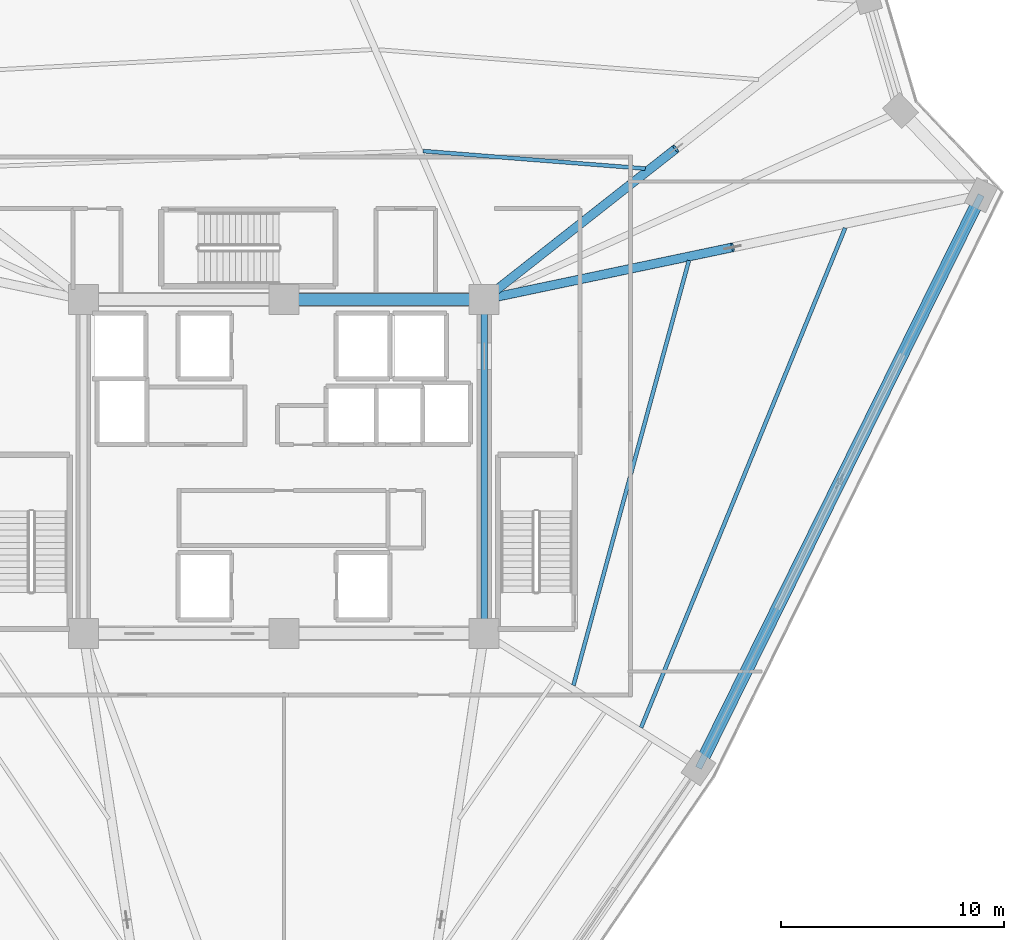
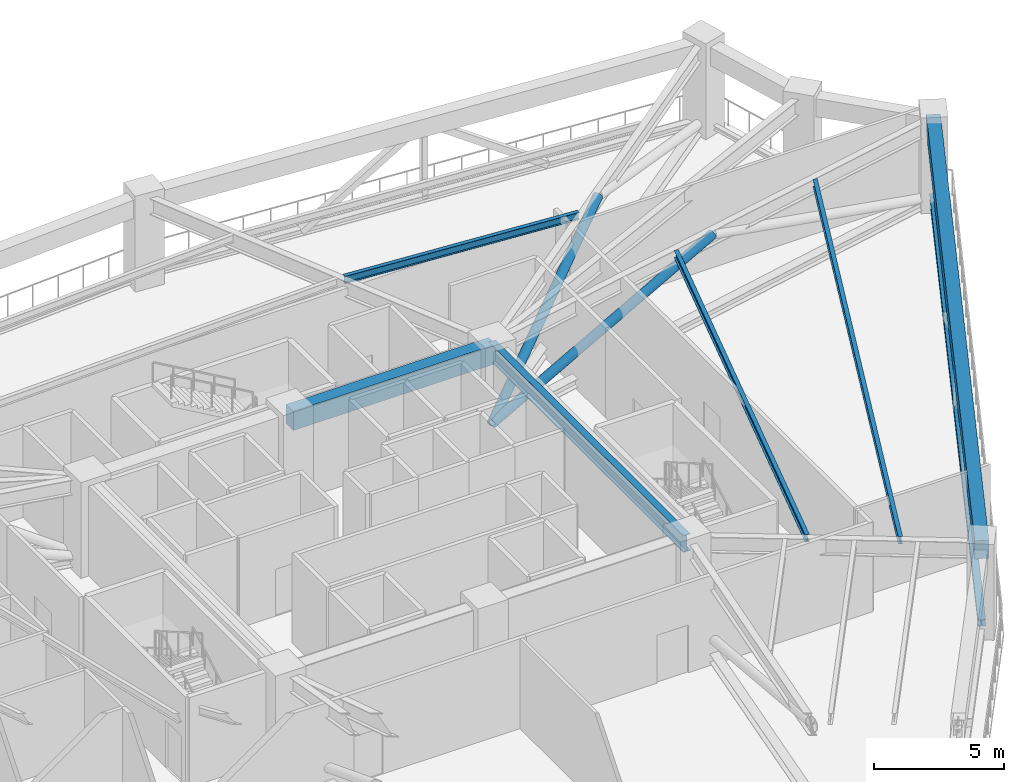
# One storey, part 8 of 22: 6 beams, 3 members.
"""IFC4 building model written with IfcOpenShell, lengths in metres."""

from ifc_helpers import new_model, si_unit, direction, frame, origin, origin_2d, place, context, subcontext, project, spatial, rectangle, hollow_circle, i_section, extrude, source, transform, mapped, material, material_profile, profile_set, type_object, element, save


model = new_model("IFC4")

# Units and contexts
model_context = context("Model", 3, precision=1e-05, world=origin(), true_north=direction((0.0, 1.0)))
body_context = subcontext(model_context, "Body", "Model", "MODEL_VIEW")
ifc_project = project(units=[si_unit("LENGTHUNIT", "METRE"), si_unit("AREAUNIT", "SQUARE_METRE"), si_unit("VOLUMEUNIT", "CUBIC_METRE"), si_unit("PLANEANGLEUNIT", "RADIAN"), si_unit("MASSUNIT", "GRAM", prefix="KILO")], contexts=[model_context])

# Site, building, storey
site_placement = place(None, origin())
site = spatial("IfcSite", under=ifc_project, at=site_placement, CompositionType="ELEMENT")
building_placement = place(site_placement, origin())
building = spatial("IfcBuilding", under=site, at=building_placement, Name="Liaohun Quay Tower", CompositionType="ELEMENT")
storey_placement = place(building_placement, frame((0.0, 0.0, 277.5)))
storey = spatial("IfcBuildingStorey", under=building, at=storey_placement, Name="L72", CompositionType="ELEMENT", Elevation=277.5)

# Beams
ifc_material_1 = material(Name="Steel Q355D", Category="steel")
ifc_material_profile_1 = material_profile(ifc_material_1, i_section(OverallWidth=0.300048828125, OverallDepth=0.800048828125, WebThickness=0.013916015625, FlangeThickness=0.02587890625, at=origin_2d()), Name="HN800x300x14x26")
ifc_profile_set_1 = profile_set([ifc_material_profile_1], Name="Steel Q355D")
beam_type_1 = type_object("IfcBeamType", Name="BM-RAD-M1", PredefinedType="BEAM", material=ifc_profile_set_1)
shared_shape_1 = source(origin(), body_context, "Body", "SweptSolid", [
    extrude(i_section(OverallWidth=0.300048828125, OverallDepth=0.800048828125, WebThickness=0.013916015625, FlangeThickness=0.02587890625, at=origin_2d()), origin(), (0.0, 0.0, 1.0), 15.0),
])
beam_1_placement = place(storey_placement, frame((69.0, 46.5, 3.820068359375), z_axis=(0.0, 1.0, 0.0), x_axis=(-1.0, 0.0, 0.0)))
element("IfcBeam", 1, at=beam_1_placement, inside=storey, type_object=beam_type_1, Name="L72 Core Coupling/Ring Beam CC3-CC4", PredefinedType="BEAM", context=body_context, shape_type="MappedRepresentation", body=[
    mapped(shared_shape_1, transform((0.0, 0.0, 0.0), x_axis=(1.0, 0.0, 0.0), y_axis=(0.0, 1.0, 0.0), z_axis=(0.0, 0.0, 1.0), scale=1.0)),
])
ifc_material_2 = material(Name="Concrete C55", Category="concrete")
ifc_material_profile_2 = material_profile(ifc_material_2, rectangle(XDim=0.550048828125, YDim=0.89990234375, at=origin_2d()), Name="RC550x900")
ifc_profile_set_2 = profile_set([ifc_material_profile_2], Name="Concrete C55")
beam_type_2 = type_object("IfcBeamType", Name="BM-CPL-2", PredefinedType="LINTEL", material=ifc_profile_set_2)
shared_shape_2 = source(origin(), body_context, "Body", "SweptSolid", [
    extrude(rectangle(XDim=0.550048828125, YDim=0.89990234375, at=origin_2d()), origin(), (0.0, 0.0, 1.0), 9.0),
])
beam_2_placement = place(storey_placement, frame((69.0, 61.5, 3.77001953125), z_axis=(-1.0, 0.0, 0.0), x_axis=(0.0, -1.0, 0.0)))
element("IfcBeam", 2, at=beam_2_placement, inside=storey, type_object=beam_type_2, Name="L72 Core Coupling/Ring Beam CC4-CC5", PredefinedType="LINTEL", context=body_context, shape_type="MappedRepresentation", body=[
    mapped(shared_shape_2, transform((0.0, 0.0, 0.0), x_axis=(1.0, 0.0, 0.0), y_axis=(0.0, 1.0, 0.0), z_axis=(0.0, 0.0, 1.0), scale=1.0)),
])
ifc_material_3 = material(Name="Precast concrete C50", Category="concrete")
ifc_material_profile_3 = material_profile(ifc_material_3, rectangle(XDim=0.550048828125, YDim=0.85009765625, at=origin_2d()), Name="RC550x850")
ifc_profile_set_3 = profile_set([ifc_material_profile_3], Name="Precast concrete C50")
beam_type_3 = type_object("IfcBeamType", Name="BM-SPD-Z3", PredefinedType="SPANDREL", material=ifc_profile_set_3)
shared_shape_3 = source(origin(), body_context, "Body", "SweptSolid", [
    extrude(rectangle(XDim=0.550048828125, YDim=0.85009765625, at=origin_2d()), origin(), (0.0, 0.0, 1.0), 28.685302734375),
])
beam_3_placement = place(storey_placement, frame((91.320068359375, 66.18505859375, 3.794921875), z_axis=(-0.442563961834, -0.89673694007, 0.0), x_axis=(0.89673694007, -0.442563961834, 0.0)))
element("IfcBeam", 3, at=beam_3_placement, inside=storey, type_object=beam_type_3, Name="L72 Precast Spandrel Beam PC09-PC10", PredefinedType="SPANDREL", context=body_context, shape_type="MappedRepresentation", body=[
    mapped(shared_shape_3, transform((0.0, 0.0, 0.0), x_axis=(1.0, 0.0, 0.0), y_axis=(0.0, 1.0, 0.0), z_axis=(0.0, 0.0, 1.0), scale=1.0)),
])
ifc_material_profile_4 = material_profile(ifc_material_1, i_section(OverallWidth=0.175048828125, OverallDepth=0.35009765625, WebThickness=0.007080078125, FlangeThickness=0.010986328125, at=origin_2d()), Name="HN350x175x7x11")
ifc_profile_set_4 = profile_set([ifc_material_profile_4], Name="Steel Q355D")
beam_type_4 = type_object("IfcBeamType", Name="BM-SEC-J3", PredefinedType="JOIST", material=ifc_profile_set_4)
shared_shape_4 = source(origin(), body_context, "Body", "SweptSolid", [
    extrude(i_section(OverallWidth=0.175048828125, OverallDepth=0.35009765625, WebThickness=0.007080078125, FlangeThickness=0.010986328125, at=origin_2d()), origin(), (0.0, 0.0, 1.0), 10.0048828125),
])
beam_4_placement = place(storey_placement, frame((66.260009765625, 68.1650390625, 4.044921875), z_axis=(0.996908166846, -0.078575485209, 0.0), x_axis=(0.078575485209, 0.996908166846, 0.0)))
element("IfcBeam", 4, at=beam_4_placement, inside=storey, type_object=beam_type_4, Name="L72 Wing Secondary Floor Joist SJ-08", PredefinedType="JOIST", context=body_context, shape_type="MappedRepresentation", body=[
    mapped(shared_shape_4, transform((0.0, 0.0, 0.0), x_axis=(1.0, 0.0, 0.0), y_axis=(0.0, 1.0, 0.0), z_axis=(0.0, 0.0, 1.0), scale=1.0)),
])
shared_shape_5 = source(origin(), body_context, "Body", "SweptSolid", [
    extrude(i_section(OverallWidth=0.175048828125, OverallDepth=0.35009765625, WebThickness=0.007080078125, FlangeThickness=0.010986328125, at=origin_2d()), origin(), (0.0, 0.0, 1.0), 19.775390625),
])
beam_5_placement = place(storey_placement, frame((78.195068359375, 63.25390625, 4.044921875), z_axis=(-0.262296228094, -0.964987403404, 0.0), x_axis=(0.964987403404, -0.262296228094, 0.0)))
element("IfcBeam", 5, at=beam_5_placement, inside=storey, type_object=beam_type_4, Name="L72 Wing Secondary Floor Joist SJ-10", PredefinedType="JOIST", context=body_context, shape_type="MappedRepresentation", body=[
    mapped(shared_shape_5, transform((0.0, 0.0, 0.0), x_axis=(1.0, 0.0, 0.0), y_axis=(0.0, 1.0, 0.0), z_axis=(0.0, 0.0, 1.0), scale=1.0)),
])
shared_shape_6 = source(origin(), body_context, "Body", "SweptSolid", [
    extrude(i_section(OverallWidth=0.175048828125, OverallDepth=0.35009765625, WebThickness=0.007080078125, FlangeThickness=0.010986328125, at=origin_2d()), origin(), (0.0, 0.0, 1.0), 24.23779296875),
])
beam_6_placement = place(storey_placement, frame((85.2099609375, 64.708984375, 4.044921875), z_axis=(-0.378041309338, -0.925788727753, 0.0), x_axis=(0.925788727753, -0.378041309338, 0.0)))
element("IfcBeam", 6, at=beam_6_placement, inside=storey, type_object=beam_type_4, Name="L72 Wing Secondary Floor Joist SJ-11", PredefinedType="JOIST", context=body_context, shape_type="MappedRepresentation", body=[
    mapped(shared_shape_6, transform((0.0, 0.0, 0.0), x_axis=(1.0, 0.0, 0.0), y_axis=(0.0, 1.0, 0.0), z_axis=(0.0, 0.0, 1.0), scale=1.0)),
])

# Members
ifc_material_4 = material(Name="Steel Q420D", Category="steel")
ifc_material_profile_5 = material_profile(ifc_material_4, hollow_circle(Radius=0.202880859375, WallThickness=0.01611328125, at=origin_2d()), Name="CHS406x16")
ifc_profile_set_5 = profile_set([ifc_material_profile_5], Name="Steel Q420D")
member_type_1 = type_object("IfcMemberType", Name="MEM-OUT-DG2", PredefinedType="BRACE", material=ifc_profile_set_5)
shared_shape_7 = source(origin(), body_context, "Body", "SweptSolid", [
    extrude(hollow_circle(Radius=0.202880859375, WallThickness=0.01611328125, at=origin_2d()), origin(), (0.0, 0.0, 1.0), 11.51611328125),
])
member_1_placement = place(storey_placement, frame((69.0, 61.5, 0.35009765625), z_axis=(0.7472076104, 0.587870028837, 0.309983251412), x_axis=(-0.618327598881, 0.785920467008, 0.0)))
element("IfcMember", 7, at=member_1_placement, inside=storey, type_object=member_type_1, Name="L72 Outrigger Diagonal OD-04A", PredefinedType="BRACE", context=body_context, shape_type="MappedRepresentation", body=[
    mapped(shared_shape_7, transform((0.0, 0.0, 0.0), x_axis=(1.0, 0.0, 0.0), y_axis=(0.0, 1.0, 0.0), z_axis=(0.0, 0.0, 1.0), scale=1.0)),
])
shared_shape_8 = source(origin(), body_context, "Body", "SweptSolid", [
    extrude(hollow_circle(Radius=0.202880859375, WallThickness=0.01611328125, at=origin_2d()), origin(), (0.0, 0.0, 1.0), 11.948974609375),
])
member_2_placement = place(storey_placement, frame((69.0, 61.5, 0.35009765625), z_axis=(0.933967202926, 0.196085914692, 0.29875672029), x_axis=(-0.205469866321, 0.978663442678, 0.0)))
element("IfcMember", 8, at=member_2_placement, inside=storey, type_object=member_type_1, Name="L72 Outrigger Diagonal OD-05A", PredefinedType="BRACE", context=body_context, shape_type="MappedRepresentation", body=[
    mapped(shared_shape_8, transform((0.0, 0.0, 0.0), x_axis=(1.0, 0.0, 0.0), y_axis=(0.0, 1.0, 0.0), z_axis=(0.0, 0.0, 1.0), scale=1.0)),
])
ifc_material_profile_6 = material_profile(ifc_material_1, i_section(OverallWidth=0.300048828125, OverallDepth=0.300048828125, WebThickness=0.010009765625, FlangeThickness=0.014892578125, at=origin_2d()), Name="HW300x300x10x15")
ifc_profile_set_6 = profile_set([ifc_material_profile_6], Name="Steel Q355D")
member_type_2 = type_object("IfcMemberType", Name="MEM-BLT-CHD", PredefinedType="CHORD", material=ifc_profile_set_6)
shared_shape_9 = source(origin(), body_context, "Body", "SweptSolid", [
    extrude(i_section(OverallWidth=0.300048828125, OverallDepth=0.300048828125, WebThickness=0.010009765625, FlangeThickness=0.014892578125, at=origin_2d()), origin(), (0.0, 0.0, 1.0), 28.685302734375),
])
member_3_placement = place(storey_placement, frame((91.320068359375, 66.18505859375, 0.35009765625), z_axis=(-0.442563961834, -0.89673694007, 0.0), x_axis=(0.89673694007, -0.442563961834, 0.0)))
element("IfcMember", 9, at=member_3_placement, inside=storey, type_object=member_type_2, Name="L72 Belt Truss Bottom Chord BC-1-05", PredefinedType="CHORD", context=body_context, shape_type="MappedRepresentation", body=[
    mapped(shared_shape_9, transform((0.0, 0.0, 0.0), x_axis=(1.0, 0.0, 0.0), y_axis=(0.0, 1.0, 0.0), z_axis=(0.0, 0.0, 1.0), scale=1.0)),
])

save(model, "model.ifc")
